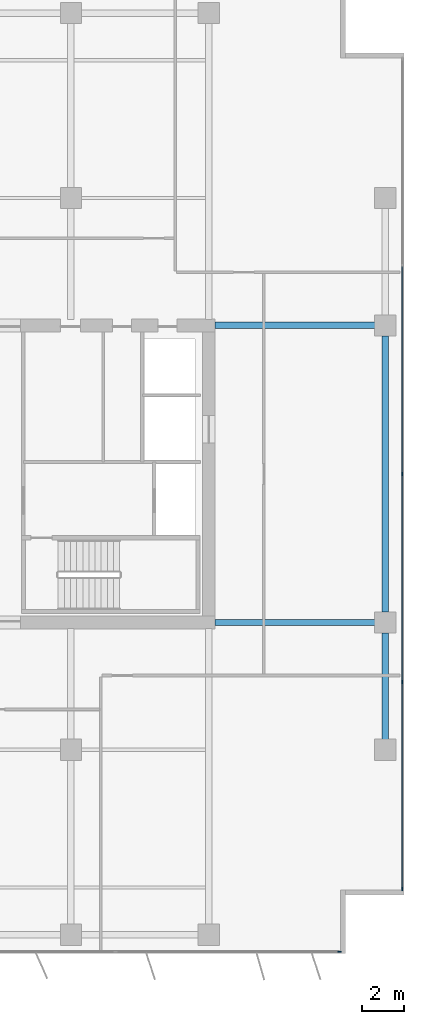
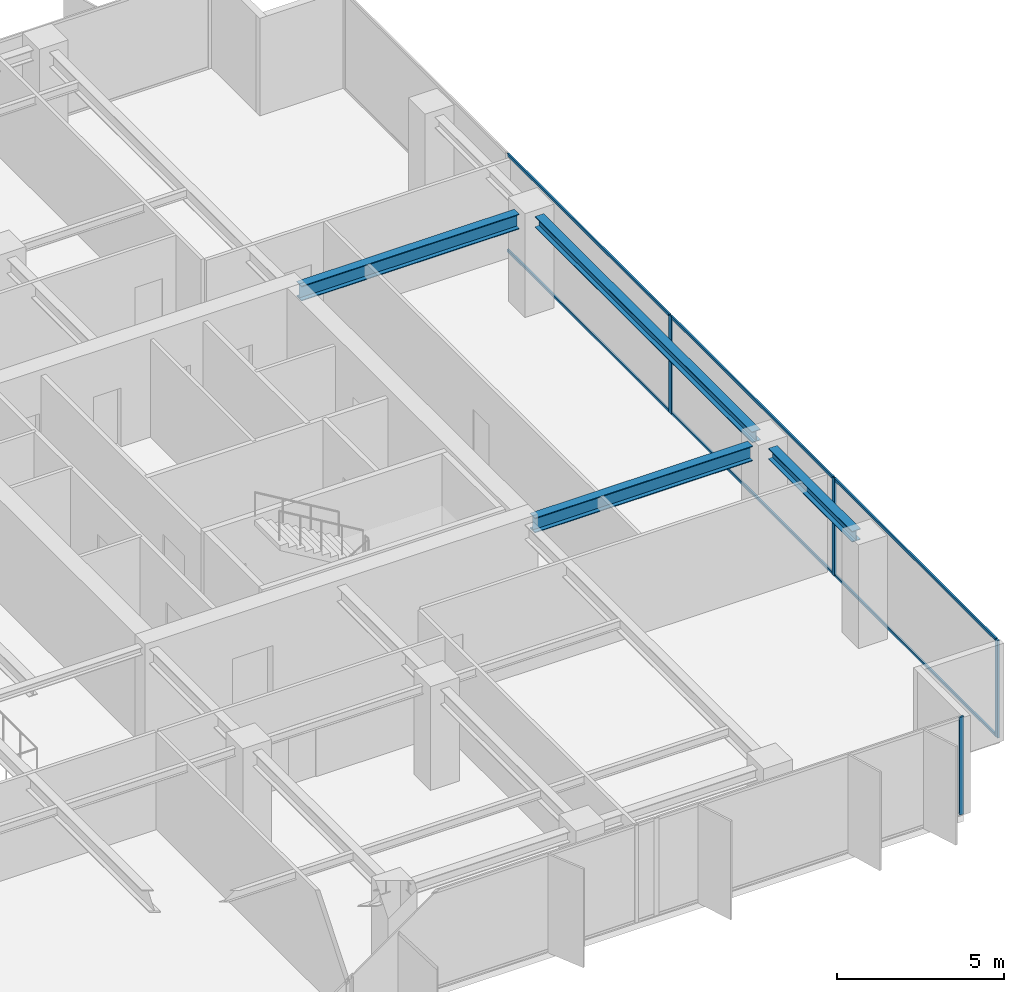
# One storey, part 12 of 22: 10 members, 4 beams, 2 elements without a shape of their own.
"""IFC4 building model written with IfcOpenShell, lengths in metres."""

from ifc_helpers import new_model, si_unit, direction, frame, origin, origin_2d, place, context, subcontext, project, spatial, rectangle, i_section, extrude, material, layer, layer_set, material_profile, profile_set, type_object, element, aggregate, save


model = new_model("IFC4")

# Units and contexts
model_context = context("Model", 3, precision=1e-05, world=origin(), true_north=direction((0.0, 1.0)))
body_context = subcontext(model_context, "Body", "Model", "MODEL_VIEW")
ifc_project = project(units=[si_unit("LENGTHUNIT", "METRE"), si_unit("AREAUNIT", "SQUARE_METRE"), si_unit("VOLUMEUNIT", "CUBIC_METRE"), si_unit("PLANEANGLEUNIT", "RADIAN"), si_unit("MASSUNIT", "GRAM", prefix="KILO")], contexts=[model_context])

# Site, building, storey
site_placement = place(None, origin())
site = spatial("IfcSite", under=ifc_project, at=site_placement, CompositionType="ELEMENT")
building_placement = place(site_placement, origin())
building = spatial("IfcBuilding", under=site, at=building_placement, Name="Putna Gate Headquarters", CompositionType="ELEMENT")
storey_placement = place(building_placement, frame((0.0, 0.0, 151.800048828125)))
storey = spatial("IfcBuildingStorey", under=building, at=storey_placement, Name="L37", CompositionType="ELEMENT", Elevation=151.800048828125)

# Beams
ifc_material_1 = material(Name="Steel S355J2", Category="steel")
ifc_material_profile_1 = material_profile(ifc_material_1, i_section(OverallWidth=0.300048828125, OverallDepth=0.550048828125, WebThickness=0.014892578125, FlangeThickness=0.029052734375, at=origin_2d()), Name="Steel S355J2")
ifc_profile_set_1 = profile_set([ifc_material_profile_1], Name="Steel S355J2")
beam_type_1 = type_object("IfcBeamType", Name="BM-GIRD-Z3-HEB550", PredefinedType="USERDEFINED", material=ifc_profile_set_1)
for number, where, z_axis, x_axis, name in (
    (1, (65.284912109375, 19.0, 3.296875), (1.0, 0.0, 0.0), (0.0, 1.0, 0.0), "L37 East Wing Girder Y19"),
    (2, (65.284912109375, 33.0, 3.296875), (1.0, 0.0, 0.0), (0.0, 1.0, 0.0), "L37 East Wing Girder Y33"),
):
    element("IfcBeam", number, at=place(storey_placement, frame(where, z_axis=z_axis, x_axis=x_axis)), inside=storey, type_object=beam_type_1, Name=name, ObjectType="GIRDER", PredefinedType="USERDEFINED", context=body_context, shape_type="SweptSolid", body=[
        extrude(i_section(OverallWidth=0.300048828125, OverallDepth=0.550048828125, WebThickness=0.014892578125, FlangeThickness=0.029052734375, at=origin_2d()), origin(), (0.0, 0.0, 1.0), 7.547119140625),
    ])
ifc_material_profile_2 = material_profile(ifc_material_1, i_section(OverallWidth=0.300048828125, OverallDepth=0.39990234375, WebThickness=0.013427734375, FlangeThickness=0.02392578125, at=origin_2d()), Name="Steel S355J2")
ifc_profile_set_2 = profile_set([ifc_material_profile_2], Name="Steel S355J2")
beam_type_2 = type_object("IfcBeamType", Name="BM-SPAN-Z3-HEB400", PredefinedType="SPANDREL", material=ifc_profile_set_2)
beam_1_placement = place(storey_placement, frame((73.320068359375, 13.488037109375, 3.3720703125), z_axis=(0.0, 1.0, 0.0), x_axis=(-1.0, 0.0, 0.0)))
element("IfcBeam", 3, at=beam_1_placement, inside=storey, type_object=beam_type_2, Name="L37 E End Spandrel 1", PredefinedType="SPANDREL", context=body_context, shape_type="SweptSolid", body=[
    extrude(i_section(OverallWidth=0.300048828125, OverallDepth=0.39990234375, WebThickness=0.013427734375, FlangeThickness=0.02392578125, at=origin_2d()), origin(), (0.0, 0.0, 1.0), 5.02392578125),
])
beam_2_placement = place(storey_placement, frame((73.320068359375, 19.488037109375, 3.3720703125), z_axis=(0.0, 1.0, 0.0), x_axis=(-1.0, 0.0, 0.0)))
element("IfcBeam", 4, at=beam_2_placement, inside=storey, type_object=beam_type_2, Name="L37 E End Spandrel 2", PredefinedType="SPANDREL", context=body_context, shape_type="SweptSolid", body=[
    extrude(i_section(OverallWidth=0.300048828125, OverallDepth=0.39990234375, WebThickness=0.013427734375, FlangeThickness=0.02392578125, at=origin_2d()), origin(), (0.0, 0.0, 1.0), 13.02392578125),
])

# Curtain wall, member
ifc_material_2 = material(Name="Anodised bronze aluminium curtain wall", Category="aluminium")
ifc_layer = layer(ifc_material_2, 0.159912109375)
ifc_layer_set = layer_set([ifc_layer], Name="Anodised bronze aluminium curtain wall")
curtain_wall_type = type_object("IfcCurtainWallType", Name="CW-SYS-Z3", PredefinedType="USERDEFINED", material=ifc_layer_set)
curtain_wall_1_placement = place(storey_placement, origin())
curtain_wall_1 = element("IfcCurtainWall", 5, at=curtain_wall_1_placement, inside=storey, type_object=curtain_wall_type, Name="L37 South East Curtain Wall", ObjectType="STICK CURTAIN WALL", PredefinedType="USERDEFINED")
ifc_material_3 = material(Name="Anodised bronze aluminium EN AW-6060", Category="aluminium")
ifc_material_profile_3 = material_profile(ifc_material_3, rectangle(XDim=0.06494140625, YDim=0.159912109375, at=origin_2d()), Name="Anodised bronze aluminium EN AW-6060")
ifc_profile_set_3 = profile_set([ifc_material_profile_3], Name="Anodised bronze aluminium EN AW-6060")
member_type_1 = type_object("IfcMemberType", Name="MULL-CWM-3", PredefinedType="MULLION", material=ifc_profile_set_3)
member_1_placement = place(storey_placement, frame((71.16748046875, 3.47998046875, 0.0), z_axis=(0.0, 0.0, 1.0), x_axis=(0.0, 1.0, 0.0)))
member_1 = element("IfcMember", 6, at=member_1_placement, type_object=member_type_1, Name="CWS-3 mullion 3", PredefinedType="MULLION", context=body_context, shape_type="SweptSolid", body=[
    extrude(rectangle(XDim=0.06494140625, YDim=0.159912109375, at=origin_2d()), origin(), (0.0, 0.0, 1.0), 3.572021484375),
])
aggregate(curtain_wall_1, [member_1])

# Curtain wall, members
curtain_wall_2_placement = place(storey_placement, origin())
curtain_wall_2 = element("IfcCurtainWall", 7, at=curtain_wall_2_placement, inside=storey, type_object=curtain_wall_type, Name="L37 East Curtain Wall", ObjectType="STICK CURTAIN WALL", PredefinedType="USERDEFINED")
member_2_placement = place(storey_placement, frame((74.1201171875, 6.4326171875, 0.0), z_axis=(0.0, 0.0, 1.0), x_axis=(-1.0, 0.0, 0.0)))
member_2 = element("IfcMember", 8, at=member_2_placement, type_object=member_type_1, Name="CWS-3 mullion 1", PredefinedType="MULLION", context=body_context, shape_type="SweptSolid", body=[
    extrude(rectangle(XDim=0.06494140625, YDim=0.159912109375, at=origin_2d()), origin(), (0.0, 0.0, 1.0), 3.572021484375),
])
member_3_placement = place(storey_placement, frame((74.1201171875, 16.199951171875, 0.0), z_axis=(0.0, 0.0, 1.0), x_axis=(-1.0, 0.0, 0.0)))
member_3 = element("IfcMember", 9, at=member_3_placement, type_object=member_type_1, Name="CWS-3 mullion 2", PredefinedType="MULLION", context=body_context, shape_type="SweptSolid", body=[
    extrude(rectangle(XDim=0.06494140625, YDim=0.159912109375, at=origin_2d()), origin(), (0.0, 0.0, 1.0), 3.572021484375),
])
member_4_placement = place(storey_placement, frame((74.1201171875, 26.0, 0.0), z_axis=(0.0, 0.0, 1.0), x_axis=(-1.0, 0.0, 0.0)))
member_4 = element("IfcMember", 10, at=member_4_placement, type_object=member_type_1, Name="CWS-3 mullion 3", PredefinedType="MULLION", context=body_context, shape_type="SweptSolid", body=[
    extrude(rectangle(XDim=0.06494140625, YDim=0.159912109375, at=origin_2d()), origin(), (0.0, 0.0, 1.0), 3.572021484375),
])
ifc_material_profile_4 = material_profile(ifc_material_3, rectangle(XDim=0.06005859375, YDim=0.10009765625, at=origin_2d()), Name="Anodised bronze aluminium EN AW-6060")
ifc_profile_set_4 = profile_set([ifc_material_profile_4], Name="Anodised bronze aluminium EN AW-6060")
member_type_2 = type_object("IfcMemberType", Name="TRAN-CWT-3", PredefinedType="USERDEFINED", material=ifc_profile_set_4)
member_5_placement = place(storey_placement, frame((74.1201171875, 6.465087890625, 0.030029296875), z_axis=(0.0, 1.0, 0.0), x_axis=(-1.0, 0.0, 0.0)))
member_5 = element("IfcMember", 11, at=member_5_placement, type_object=member_type_2, Name="CWS-3 transom 1.1", ObjectType="TRANSOM", PredefinedType="USERDEFINED", context=body_context, shape_type="SweptSolid", body=[
    extrude(rectangle(XDim=0.06005859375, YDim=0.10009765625, at=origin_2d()), origin(), (0.0, 0.0, 1.0), 9.702392578125),
])
member_6_placement = place(storey_placement, frame((74.1201171875, 6.465087890625, 3.5419921875), z_axis=(0.0, 1.0, 0.0), x_axis=(-1.0, 0.0, 0.0)))
member_6 = element("IfcMember", 12, at=member_6_placement, type_object=member_type_2, Name="CWS-3 transom 1.2", ObjectType="TRANSOM", PredefinedType="USERDEFINED", context=body_context, shape_type="SweptSolid", body=[
    extrude(rectangle(XDim=0.06005859375, YDim=0.10009765625, at=origin_2d()), origin(), (0.0, 0.0, 1.0), 9.702392578125),
])
member_7_placement = place(storey_placement, frame((74.1201171875, 16.232421875, 0.030029296875), z_axis=(0.0, 1.0, 0.0), x_axis=(-1.0, 0.0, 0.0)))
member_7 = element("IfcMember", 13, at=member_7_placement, type_object=member_type_2, Name="CWS-3 transom 2.1", ObjectType="TRANSOM", PredefinedType="USERDEFINED", context=body_context, shape_type="SweptSolid", body=[
    extrude(rectangle(XDim=0.06005859375, YDim=0.10009765625, at=origin_2d()), origin(), (0.0, 0.0, 1.0), 9.735107421875),
])
member_8_placement = place(storey_placement, frame((74.1201171875, 16.232421875, 3.5419921875), z_axis=(0.0, 1.0, 0.0), x_axis=(-1.0, 0.0, 0.0)))
member_8 = element("IfcMember", 14, at=member_8_placement, type_object=member_type_2, Name="CWS-3 transom 2.2", ObjectType="TRANSOM", PredefinedType="USERDEFINED", context=body_context, shape_type="SweptSolid", body=[
    extrude(rectangle(XDim=0.06005859375, YDim=0.10009765625, at=origin_2d()), origin(), (0.0, 0.0, 1.0), 9.735107421875),
])
member_9_placement = place(storey_placement, frame((74.1201171875, 26.032470703125, 0.030029296875), z_axis=(0.0, 1.0, 0.0), x_axis=(-1.0, 0.0, 0.0)))
member_9 = element("IfcMember", 15, at=member_9_placement, type_object=member_type_2, Name="CWS-3 transom 3.1", ObjectType="TRANSOM", PredefinedType="USERDEFINED", context=body_context, shape_type="SweptSolid", body=[
    extrude(rectangle(XDim=0.06005859375, YDim=0.10009765625, at=origin_2d()), origin(), (0.0, 0.0, 1.0), 9.735107421875),
])
member_10_placement = place(storey_placement, frame((74.1201171875, 26.032470703125, 3.5419921875), z_axis=(0.0, 1.0, 0.0), x_axis=(-1.0, 0.0, 0.0)))
member_10 = element("IfcMember", 16, at=member_10_placement, type_object=member_type_2, Name="CWS-3 transom 3.2", ObjectType="TRANSOM", PredefinedType="USERDEFINED", context=body_context, shape_type="SweptSolid", body=[
    extrude(rectangle(XDim=0.06005859375, YDim=0.10009765625, at=origin_2d()), origin(), (0.0, 0.0, 1.0), 9.735107421875),
])
aggregate(curtain_wall_2, [member_2, member_3, member_4, member_5, member_6, member_7, member_8, member_9, member_10])

save(model, "model.ifc")
